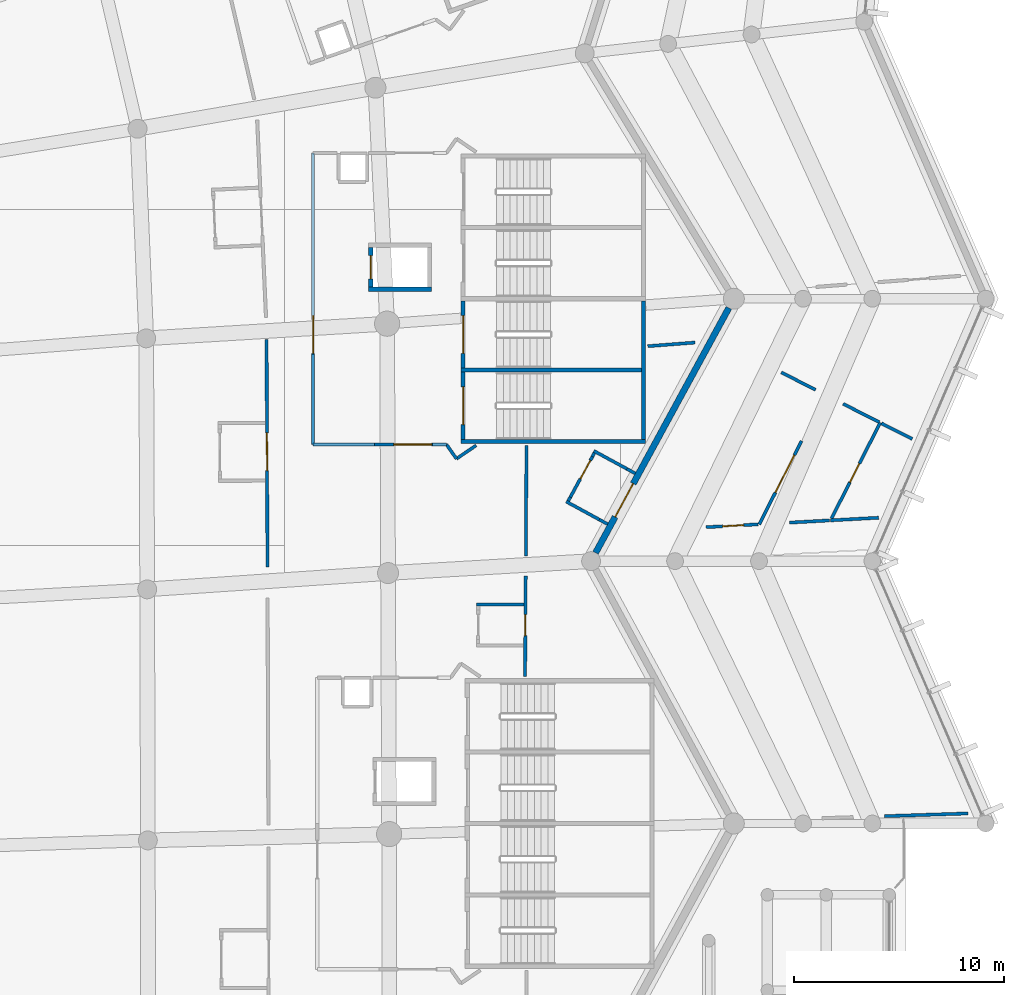
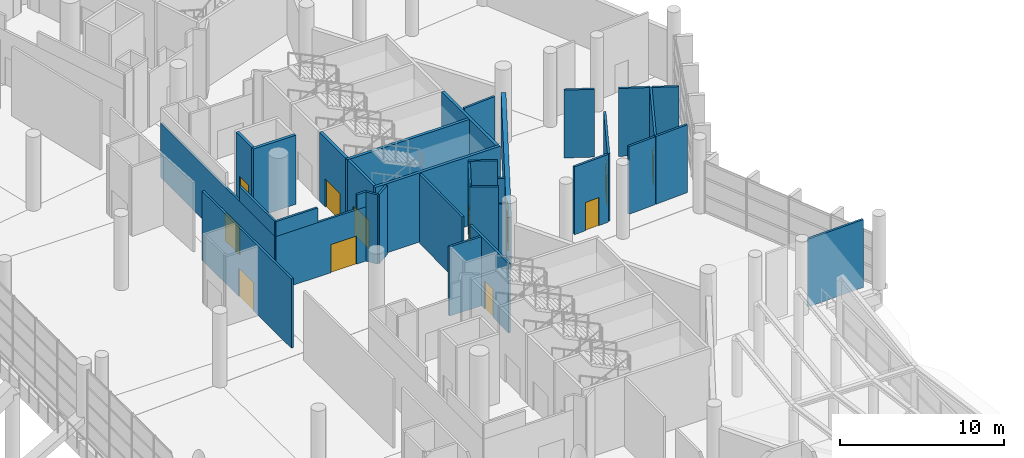
# One storey, part 193 of 271: 36 walls, 13 doors, 13 openings.
"""IFC4 building model written with IfcOpenShell, lengths in metres."""

from ifc_helpers import new_model, si_unit, direction, frame, frame_2d, origin, place, context, subcontext, project, spatial, rectangle, extrude, material, layer, layer_set, type_object, element, fill, save


model = new_model("IFC4")

# Units and contexts
model_context = context("Model", 3, precision=1e-05, world=origin(), true_north=direction((0.0, 1.0)))
body_context = subcontext(model_context, "Body", "Model", "MODEL_VIEW")
ifc_project = project(units=[si_unit("LENGTHUNIT", "METRE"), si_unit("AREAUNIT", "SQUARE_METRE"), si_unit("VOLUMEUNIT", "CUBIC_METRE"), si_unit("PLANEANGLEUNIT", "RADIAN"), si_unit("MASSUNIT", "GRAM", prefix="KILO")], contexts=[model_context])

# Site, building, storey
site_placement = place(None, origin())
site = spatial("IfcSite", under=ifc_project, at=site_placement, CompositionType="ELEMENT")
building_placement = place(site_placement, origin())
building = spatial("IfcBuilding", under=site, at=building_placement, Name="Meseta Stadium", CompositionType="ELEMENT")
storey_placement = place(building_placement, frame((0.0, 0.0, 6.5)))
storey = spatial("IfcBuildingStorey", under=building, at=storey_placement, Name="L01", CompositionType="ELEMENT", Elevation=6.5)

# Walls
ifc_material_1 = material(Name="Concrete C40/50", Category="concrete")
ifc_layer_1 = layer(ifc_material_1, 0.199951171875)
ifc_layer_set_1 = layer_set([ifc_layer_1], Name="Core divider wall 200")
wall_type_1 = type_object("IfcWallType", Name="Core divider wall 200", PredefinedType="SHEAR", material=ifc_layer_set_1)
wall_1_placement = place(storey_placement, frame((97.199951171875, 40.35009765625, 0.0), z_axis=(0.0, 0.0, 1.0), x_axis=(-1.0, 0.0, 0.0)))
element("IfcWall", 1, at=wall_1_placement, inside=storey, type_object=wall_type_1, Name="Core 05 L01 stair A divider wall", PredefinedType="SHEAR", context=body_context, shape_type="SweptSolid", body=[
    extrude(rectangle(XDim=8.800048828125, YDim=0.199951171875, at=frame_2d((4.39990234375, 0.0))), origin(), (0.0, 0.0, 1.0), 5.14990234375),
])
ifc_material_2 = material(Name="Concrete C40/50", Category="concrete")
ifc_layer_2 = layer(ifc_material_2, 0.199951171875)
ifc_layer_set_2 = layer_set([ifc_layer_2], Name="Core shaft wall 200")
wall_type_2 = type_object("IfcWallType", Name="Core shaft wall 200", PredefinedType="SHEAR", material=ifc_layer_set_2)
wall_2_placement = place(storey_placement, frame((97.199951171875, 36.949951171875, 0.0), z_axis=(0.0, 0.0, 1.0), x_axis=(-1.0, 0.0, 0.0)))
element("IfcWall", 2, at=wall_2_placement, inside=storey, type_object=wall_type_2, Name="Core 05 L01 stair wall A-side", PredefinedType="SHEAR", context=body_context, shape_type="SweptSolid", body=[
    extrude(rectangle(XDim=8.800048828125, YDim=0.199951171875, at=frame_2d((4.39990234375, 0.0))), origin(), (0.0, 0.0, 1.0), 5.14990234375),
])
wall_3_placement = place(storey_placement, frame((97.10009765625, 37.050048828125, 0.0), z_axis=(0.0, 0.0, 1.0), x_axis=(0.0, 1.0, 0.0)))
element("IfcWall", 3, at=wall_3_placement, inside=storey, type_object=wall_type_2, Name="Core 05 L01 stair A outer end wall", PredefinedType="SHEAR", context=body_context, shape_type="SweptSolid", body=[
    extrude(rectangle(XDim=6.599853515625, YDim=0.199951171875, at=frame_2d((3.2998046875, 0.0))), origin(), (0.0, 0.0, 1.0), 5.14990234375),
])

# Wall, opening, door
wall_4_placement = place(storey_placement, frame((88.5, 37.050048828125, 0.0), z_axis=(0.0, 0.0, 1.0), x_axis=(0.0, 1.0, 0.0)))
wall_4 = element("IfcWall", 4, at=wall_4_placement, inside=storey, type_object=wall_type_2, Name="Core 05 L01 stair A1 inner end wall", PredefinedType="SHEAR", context=body_context, shape_type="SweptSolid", body=[
    extrude(rectangle(XDim=3.199951171875, YDim=0.199951171875, at=frame_2d((1.60009765625, 0.0))), origin(), (0.0, 0.0, 1.0), 5.14990234375),
])
opening_1_placement = place(wall_4_placement, frame((0.699951171875, 0.0, 0.0)))
opening_1 = element("IfcOpeningElement", 5, at=opening_1_placement, cuts=wall_4, Name="Opening D087", PredefinedType="OPENING", context=body_context, shape_type="SweptSolid", body=[
    extrude(rectangle(XDim=1.800048828125, YDim=2.10009765625, at=frame_2d((0.89990234375, 1.050048828125))), frame((0.0, 0.10986328125, 0.0), z_axis=(0.0, -1.0, 0.0), x_axis=(1.0, 0.0, 0.0)), (0.0, 0.0, 1.0), 0.219970703125),
])
ifc_material_3 = material(Name="Steel", Category="steel")
door_type_1 = type_object("IfcDoorType", Name="Stair door 1800x2100", OperationType="DOUBLE_DOOR_SINGLE_SWING", PredefinedType="DOOR", material=ifc_material_3)
door_1_placement = place(opening_1_placement, origin())
door_1 = element("IfcDoor", 6, at=door_1_placement, inside=storey, type_object=door_type_1, Name="Stair A1 door 05 L01", OperationType="DOUBLE_DOOR_SINGLE_SWING", OverallHeight=2.10009765625, OverallWidth=1.800048828125, PredefinedType="DOOR", context=body_context, shape_type="SweptSolid", body=[
    extrude(rectangle(XDim=1.800048828125, YDim=2.10009765625, at=frame_2d((0.89990234375, 1.050048828125))), frame((0.0, 0.02490234375, 0.0), z_axis=(0.0, -1.0, 0.0), x_axis=(1.0, 0.0, 0.0)), (0.0, 0.0, 1.0), 0.050048828125),
])
fill(opening_1, door_1)

wall_5_placement = place(storey_placement, frame((88.5, 40.449951171875, 0.0), z_axis=(0.0, 0.0, 1.0), x_axis=(0.0, 1.0, 0.0)))
wall_5 = element("IfcWall", 7, at=wall_5_placement, inside=storey, type_object=wall_type_2, Name="Core 05 L01 stair A2 inner end wall", PredefinedType="SHEAR", context=body_context, shape_type="SweptSolid", body=[
    extrude(rectangle(XDim=3.199951171875, YDim=0.199951171875, at=frame_2d((1.60009765625, 0.0))), origin(), (0.0, 0.0, 1.0), 5.14990234375),
])
opening_2_placement = place(wall_5_placement, frame((0.699951171875, 0.0, 0.0)))
opening_2 = element("IfcOpeningElement", 8, at=opening_2_placement, cuts=wall_5, Name="Opening D088", PredefinedType="OPENING", context=body_context, shape_type="SweptSolid", body=[
    extrude(rectangle(XDim=1.800048828125, YDim=2.10009765625, at=frame_2d((0.89990234375, 1.050048828125))), frame((0.0, 0.10986328125, 0.0), z_axis=(0.0, -1.0, 0.0), x_axis=(1.0, 0.0, 0.0)), (0.0, 0.0, 1.0), 0.219970703125),
])
door_2_placement = place(opening_2_placement, origin())
door_2 = element("IfcDoor", 9, at=door_2_placement, inside=storey, type_object=door_type_1, Name="Stair A2 door 05 L01", OperationType="DOUBLE_DOOR_SINGLE_SWING", OverallHeight=2.10009765625, OverallWidth=1.800048828125, PredefinedType="DOOR", context=body_context, shape_type="SweptSolid", body=[
    extrude(rectangle(XDim=1.800048828125, YDim=2.10009765625, at=frame_2d((0.89990234375, 1.050048828125))), frame((0.0, 0.02490234375, 0.0), z_axis=(0.0, -1.0, 0.0), x_axis=(1.0, 0.0, 0.0)), (0.0, 0.0, 1.0), 0.050048828125),
])
fill(opening_2, door_2)

# Wall
wall_6_placement = place(storey_placement, frame((87.0, 44.199951171875, 0.0), z_axis=(0.0, 0.0, 1.0), x_axis=(-1.0, 0.0, 0.0)))
element("IfcWall", 10, at=wall_6_placement, inside=storey, type_object=wall_type_2, Name="Core 05 L01 lift shaft wall left", PredefinedType="SHEAR", context=body_context, shape_type="SweptSolid", body=[
    extrude(rectangle(XDim=3.0, YDim=0.199951171875, at=frame_2d((1.5, 0.0))), origin(), (0.0, 0.0, 1.0), 5.14990234375),
])

# Wall, opening, door
wall_7_placement = place(storey_placement, frame((84.10009765625, 44.300048828125, 0.0), z_axis=(0.0, 0.0, 1.0), x_axis=(0.0, 1.0, 0.0)))
wall_7 = element("IfcWall", 11, at=wall_7_placement, inside=storey, type_object=wall_type_2, Name="Core 05 L01 lift shaft front wall", PredefinedType="SHEAR", context=body_context, shape_type="SweptSolid", body=[
    extrude(rectangle(XDim=1.89990234375, YDim=0.199951171875, at=frame_2d((0.949951171875, 0.0))), origin(), (0.0, 0.0, 1.0), 5.14990234375),
])
opening_3_placement = place(wall_7_placement, frame((0.39990234375, 0.0, 0.0)))
opening_3 = element("IfcOpeningElement", 12, at=opening_3_placement, cuts=wall_7, Name="Opening LD27", PredefinedType="OPENING", context=body_context, shape_type="SweptSolid", body=[
    extrude(rectangle(XDim=1.10009765625, YDim=2.10009765625, at=frame_2d((0.550048828125, 1.050048828125))), frame((0.0, 0.10986328125, 0.0), z_axis=(0.0, -1.0, 0.0), x_axis=(1.0, 0.0, 0.0)), (0.0, 0.0, 1.0), 0.219970703125),
])
ifc_material_4 = material(Name="Steel", Category="steel")
door_type_2 = type_object("IfcDoorType", Name="Lift landing door 1100x2100", OperationType="SLIDING_TO_LEFT", PredefinedType="DOOR", material=ifc_material_4)
door_3_placement = place(opening_3_placement, origin())
door_3 = element("IfcDoor", 13, at=door_3_placement, inside=storey, type_object=door_type_2, Name="Lift landing door LD27", OperationType="SLIDING_TO_LEFT", OverallHeight=2.10009765625, OverallWidth=1.10009765625, PredefinedType="DOOR", context=body_context, shape_type="SweptSolid", body=[
    extrude(rectangle(XDim=1.10009765625, YDim=2.10009765625, at=frame_2d((0.550048828125, 1.050048828125))), frame((0.0, 0.02490234375, 0.0), z_axis=(0.0, -1.0, 0.0), x_axis=(1.0, 0.0, 0.0)), (0.0, 0.0, 1.0), 0.050048828125),
])
fill(opening_3, door_3)

ifc_material_5 = material(Name="Masonry blockwork", Category="masonry")
ifc_layer_3 = layer(ifc_material_5, 0.14990234375)
ifc_layer_set_3 = layer_set([ifc_layer_3], Name="Partition 150")
wall_type_3 = type_object("IfcWallType", Name="Partition 150", PredefinedType="PARTITIONING", material=ifc_layer_set_3)
wall_8_placement = place(storey_placement, frame((79.139892578125, 41.81005859375, 0.0), z_axis=(0.0, 0.0, 1.0), x_axis=(0.003787424647, -0.999992827682, 0.0)))
wall_8 = element("IfcWall", 14, at=wall_8_placement, inside=storey, type_object=wall_type_3, Name="Partition L01 L01-cell03-0-0", PredefinedType="PARTITIONING", context=body_context, shape_type="SweptSolid", body=[
    extrude(rectangle(XDim=10.829345703125, YDim=0.14990234375, at=frame_2d((5.41455078125, 0.0))), origin(), (0.0, 0.0, 1.0), 5.14990234375),
])
opening_4_placement = place(wall_8_placement, frame((4.449951171875, 0.0, 0.0)))
opening_4 = element("IfcOpeningElement", 15, at=opening_4_placement, cuts=wall_8, Name="Opening D643", PredefinedType="OPENING", context=body_context, shape_type="SweptSolid", body=[
    extrude(rectangle(XDim=1.800048828125, YDim=2.10009765625, at=frame_2d((0.89990234375, 1.050048828125))), frame((0.0, 0.0849609375, 0.0), z_axis=(0.0, -1.0, 0.0), x_axis=(1.0, 0.0, 0.0)), (0.0, 0.0, 1.0), 0.169921875),
])
ifc_material_6 = material(Name="Steel", Category="steel")
door_type_3 = type_object("IfcDoorType", Name="Fire double door 1800x2100 EI2 60", OperationType="DOUBLE_DOOR_SINGLE_SWING", PredefinedType="DOOR", material=ifc_material_6)
door_4_placement = place(opening_4_placement, origin())
door_4 = element("IfcDoor", 16, at=door_4_placement, inside=storey, type_object=door_type_3, Name="Door D643", OperationType="DOUBLE_DOOR_SINGLE_SWING", OverallHeight=2.10009765625, OverallWidth=1.800048828125, PredefinedType="DOOR", context=body_context, shape_type="SweptSolid", body=[
    extrude(rectangle(XDim=1.800048828125, YDim=2.10009765625, at=frame_2d((0.89990234375, 1.050048828125))), frame((0.0, 0.02490234375, 0.0), z_axis=(0.0, -1.0, 0.0), x_axis=(1.0, 0.0, 0.0)), (0.0, 0.0, 1.0), 0.050048828125),
])
fill(opening_4, door_4)

wall_9_placement = place(storey_placement, frame((91.454833984375, 25.75, 0.0), z_axis=(0.0, 0.0, 1.0), x_axis=(0.006125459352, 0.999981239198, 0.0)))
wall_9 = element("IfcWall", 17, at=wall_9_placement, inside=storey, type_object=wall_type_3, Name="Partition L01 L01-cell03-2-0", PredefinedType="PARTITIONING", context=body_context, shape_type="SweptSolid", body=[
    extrude(rectangle(XDim=4.78271484375, YDim=0.14990234375, at=frame_2d((2.391357421875, 0.0))), origin(), (0.0, 0.0, 1.0), 5.14990234375),
])
opening_5_placement = place(wall_9_placement, frame((1.949951171875, 0.0, 0.0)))
opening_5 = element("IfcOpeningElement", 18, at=opening_5_placement, cuts=wall_9, Name="Opening D644", PredefinedType="OPENING", context=body_context, shape_type="SweptSolid", body=[
    extrude(rectangle(XDim=1.0, YDim=2.10009765625, at=frame_2d((0.5, 1.050048828125))), frame((0.0, 0.0849609375, 0.0), z_axis=(0.0, -1.0, 0.0), x_axis=(1.0, 0.0, 0.0)), (0.0, 0.0, 1.0), 0.169921875),
])
ifc_material_7 = material(Name="Steel", Category="steel")
door_type_4 = type_object("IfcDoorType", Name="Fire door 1000x2100 EI2 60", OperationType="NOTDEFINED", PredefinedType="DOOR", material=ifc_material_7)
door_5_placement = place(opening_5_placement, origin())
door_5 = element("IfcDoor", 19, at=door_5_placement, inside=storey, type_object=door_type_4, Name="Door D644", OperationType="SINGLE_SWING_RIGHT", OverallHeight=2.10009765625, OverallWidth=1.0, PredefinedType="DOOR", context=body_context, shape_type="SweptSolid", body=[
    extrude(rectangle(XDim=1.0, YDim=2.10009765625, at=frame_2d((0.5, 1.050048828125))), frame((0.0, 0.02490234375, 0.0), z_axis=(0.0, -1.0, 0.0), x_axis=(1.0, 0.0, 0.0)), (0.0, 0.0, 1.0), 0.050048828125),
])
fill(opening_5, door_5)

# Walls
wall_10_placement = place(storey_placement, frame((91.489990234375, 31.489013671875, 0.0), z_axis=(0.0, 0.0, 1.0), x_axis=(0.006125459352, 0.999981239198, 0.0)))
element("IfcWall", 20, at=wall_10_placement, inside=storey, type_object=wall_type_3, Name="Partition L01 L01-cell03-2-0", PredefinedType="PARTITIONING", context=body_context, shape_type="SweptSolid", body=[
    extrude(rectangle(XDim=5.260986328125, YDim=0.14990234375, at=frame_2d((2.63037109375, 0.0))), origin(), (0.0, 0.0, 1.0), 5.14990234375),
])
wall_11_placement = place(storey_placement, frame((97.300048828125, 41.48974609375, 0.0), z_axis=(0.0, 0.0, 1.0), x_axis=(0.99706720675, 0.076530942913, 0.0)))
element("IfcWall", 21, at=wall_11_placement, inside=storey, type_object=wall_type_3, Name="Partition L01 L01-cell03-2-0", PredefinedType="PARTITIONING", context=body_context, shape_type="SweptSolid", body=[
    extrude(rectangle(XDim=2.25537109375, YDim=0.14990234375, at=frame_2d((1.127685546875, 0.0))), origin(), (0.0, 0.0, 1.0), 5.14990234375),
])
wall_12_placement = place(storey_placement, frame((108.302001953125, 33.317138671875, 0.0), z_axis=(0.0, 0.0, 1.0), x_axis=(-0.998498017563, -0.054787853792, 0.0)))
element("IfcWall", 22, at=wall_12_placement, inside=storey, type_object=wall_type_3, Name="Partition L01 L01-ring03-0a", PredefinedType="PARTITIONING", context=body_context, shape_type="SweptSolid", body=[
    extrude(rectangle(XDim=2.29931640625, YDim=0.14990234375, at=frame_2d((1.149658203125, 0.0))), origin(), (0.0, 0.0, 1.0), 5.050048828125),
])

# Wall, opening, door
wall_13_placement = place(storey_placement, frame((106.04541015625, 33.268310546875, 0.0), z_axis=(0.0, 0.0, 1.0), x_axis=(0.453347222961, 0.891333997688, 0.0)))
wall_13 = element("IfcWall", 23, at=wall_13_placement, inside=storey, type_object=wall_type_3, Name="Partition L01 L01-ring03-0a", PredefinedType="PARTITIONING", context=body_context, shape_type="SweptSolid", body=[
    extrude(rectangle(XDim=5.1337890625, YDim=0.14990234375, at=frame_2d((2.56689453125, 0.0))), origin(), (0.0, 0.0, 1.0), 5.050048828125),
])
opening_6_placement = place(wall_13_placement, frame((1.949951171875, 0.0, 0.0)))
opening_6 = element("IfcOpeningElement", 24, at=opening_6_placement, cuts=wall_13, Name="Opening D684", PredefinedType="OPENING", context=body_context, shape_type="SweptSolid", body=[
    extrude(rectangle(XDim=1.0, YDim=2.10009765625, at=frame_2d((0.5, 1.050048828125))), frame((0.0, 0.0849609375, 0.0), z_axis=(0.0, -1.0, 0.0), x_axis=(1.0, 0.0, 0.0)), (0.0, 0.0, 1.0), 0.169921875),
])
ifc_material_8 = material(Name="Timber", Category="wood")
door_type_5 = type_object("IfcDoorType", Name="Room door 1000x2100", OperationType="NOTDEFINED", PredefinedType="DOOR", material=ifc_material_8)
door_6_placement = place(opening_6_placement, origin())
door_6 = element("IfcDoor", 25, at=door_6_placement, inside=storey, type_object=door_type_5, Name="Door D684", OperationType="SINGLE_SWING_LEFT", OverallHeight=2.10009765625, OverallWidth=1.0, PredefinedType="DOOR", context=body_context, shape_type="SweptSolid", body=[
    extrude(rectangle(XDim=1.0, YDim=2.10009765625, at=frame_2d((0.5, 1.050048828125))), frame((0.0, 0.02490234375, 0.0), z_axis=(0.0, -1.0, 0.0), x_axis=(1.0, 0.0, 0.0)), (0.0, 0.0, 1.0), 0.050048828125),
])
fill(opening_6, door_6)

# Walls
wall_14_placement = place(storey_placement, frame((108.439697265625, 37.810302734375, 0.0), z_axis=(0.0, 0.0, 1.0), x_axis=(0.891343383036, -0.453328769788, 0.0)))
element("IfcWall", 26, at=wall_14_placement, inside=storey, type_object=wall_type_3, Name="Partition L01 L01-ring03-0a", PredefinedType="PARTITIONING", context=body_context, shape_type="SweptSolid", body=[
    extrude(rectangle(XDim=1.64208984375, YDim=0.14990234375, at=frame_2d((0.821044921875, 0.0))), origin(), (0.0, 0.0, 1.0), 5.050048828125),
])
wall_15_placement = place(storey_placement, frame((105.956298828125, 33.1884765625, 0.0), z_axis=(0.0, 0.0, 1.0), x_axis=(-0.998496614233, -0.054813423225, 0.0)))
element("IfcWall", 27, at=wall_15_placement, inside=storey, type_object=wall_type_3, Name="Partition L01 L01-ring03-0b1", PredefinedType="PARTITIONING", context=body_context, shape_type="SweptSolid", body=[
    extrude(rectangle(XDim=1.915283203125, YDim=0.14990234375, at=frame_2d((0.95751953125, 0.0))), origin(), (0.0, 0.0, 1.0), 5.050048828125),
])

# Wall, openings, doors
wall_16_placement = place(storey_placement, frame((102.60986328125, 33.0048828125, 0.0), z_axis=(0.0, 0.0, 1.0), x_axis=(0.453387706343, 0.891313406012, 0.0)))
wall_16 = element("IfcWall", 28, at=wall_16_placement, inside=storey, type_object=wall_type_3, Name="Partition L01 L01-ring03-0b1", PredefinedType="PARTITIONING", context=body_context, shape_type="SweptSolid", body=[
    extrude(rectangle(XDim=4.45263671875, YDim=0.14990234375, at=frame_2d((2.226318359375, 0.0))), origin(), (0.0, 0.0, 1.0), 5.050048828125),
])
opening_7_placement = place(wall_16_placement, frame((1.699951171875, 0.0, 0.0)))
opening_7 = element("IfcOpeningElement", 29, at=opening_7_placement, cuts=wall_16, Name="Opening D685", PredefinedType="OPENING", context=body_context, shape_type="SweptSolid", body=[
    extrude(rectangle(XDim=1.0, YDim=2.10009765625, at=frame_2d((0.5, 1.050048828125))), frame((0.0, 0.0849609375, 0.0), z_axis=(0.0, -1.0, 0.0), x_axis=(1.0, 0.0, 0.0)), (0.0, 0.0, 1.0), 0.169921875),
])
opening_8_placement = place(wall_16_placement, frame((2.699951171875, 0.0, 0.0)))
opening_8 = element("IfcOpeningElement", 30, at=opening_8_placement, cuts=wall_16, Name="Opening D686", PredefinedType="OPENING", context=body_context, shape_type="SweptSolid", body=[
    extrude(rectangle(XDim=1.0, YDim=2.10009765625, at=frame_2d((0.5, 1.050048828125))), frame((0.0, 0.0849609375, 0.0), z_axis=(0.0, -1.0, 0.0), x_axis=(1.0, 0.0, 0.0)), (0.0, 0.0, 1.0), 0.169921875),
])
door_7_placement = place(opening_7_placement, origin())
door_7 = element("IfcDoor", 31, at=door_7_placement, inside=storey, type_object=door_type_5, Name="Door D685", OperationType="SINGLE_SWING_RIGHT", OverallHeight=2.10009765625, OverallWidth=1.0, PredefinedType="DOOR", context=body_context, shape_type="SweptSolid", body=[
    extrude(rectangle(XDim=1.0, YDim=2.10009765625, at=frame_2d((0.5, 1.050048828125))), frame((0.0, 0.02490234375, 0.0), z_axis=(0.0, -1.0, 0.0), x_axis=(1.0, 0.0, 0.0)), (0.0, 0.0, 1.0), 0.050048828125),
])
fill(opening_7, door_7)
door_8_placement = place(opening_8_placement, origin())
door_8 = element("IfcDoor", 32, at=door_8_placement, inside=storey, type_object=door_type_5, Name="Door D686", OperationType="SINGLE_SWING_RIGHT", OverallHeight=2.10009765625, OverallWidth=1.0, PredefinedType="DOOR", context=body_context, shape_type="SweptSolid", body=[
    extrude(rectangle(XDim=1.0, YDim=2.10009765625, at=frame_2d((0.5, 1.050048828125))), frame((0.0, 0.02490234375, 0.0), z_axis=(0.0, -1.0, 0.0), x_axis=(1.0, 0.0, 0.0)), (0.0, 0.0, 1.0), 0.050048828125),
])
fill(opening_8, door_8)

# Wall
wall_17_placement = place(storey_placement, frame((106.609619140625, 38.7412109375, 0.0), z_axis=(0.0, 0.0, 1.0), x_axis=(0.891316628882, -0.453381370458, 0.0)))
element("IfcWall", 33, at=wall_17_placement, inside=storey, type_object=wall_type_3, Name="Partition L01 L01-ring03-0b1", PredefinedType="PARTITIONING", context=body_context, shape_type="SweptSolid", body=[
    extrude(rectangle(XDim=1.92822265625, YDim=0.14990234375, at=frame_2d((0.964111328125, 0.0))), origin(), (0.0, 0.0, 1.0), 5.050048828125),
])

# Wall, opening, door
wall_18_placement = place(storey_placement, frame((100.083251953125, 32.866455078125, 0.0), z_axis=(0.0, 0.0, 1.0), x_axis=(0.998501563007, 0.054723200496, 0.0)))
wall_18 = element("IfcWall", 34, at=wall_18_placement, inside=storey, type_object=wall_type_3, Name="Partition L01 L01-ring03-0b2", PredefinedType="PARTITIONING", context=body_context, shape_type="SweptSolid", body=[
    extrude(rectangle(XDim=2.48046875, YDim=0.14990234375, at=frame_2d((1.240234375, 0.0))), origin(), (0.0, 0.0, 1.0), 5.050048828125),
])
opening_9_placement = place(wall_18_placement, frame((0.780517578125, 0.0, 0.0)))
opening_9 = element("IfcOpeningElement", 35, at=opening_9_placement, cuts=wall_18, Name="Opening D688", PredefinedType="OPENING", context=body_context, shape_type="SweptSolid", body=[
    extrude(rectangle(XDim=1.0, YDim=2.10009765625, at=frame_2d((0.5, 1.050048828125))), frame((0.0, 0.0849609375, 0.0), z_axis=(0.0, -1.0, 0.0), x_axis=(1.0, 0.0, 0.0)), (0.0, 0.0, 1.0), 0.169921875),
])
door_9_placement = place(opening_9_placement, origin())
door_9 = element("IfcDoor", 36, at=door_9_placement, inside=storey, type_object=door_type_5, Name="Door D688", OperationType="SINGLE_SWING_LEFT", OverallHeight=2.10009765625, OverallWidth=1.0, PredefinedType="DOOR", context=body_context, shape_type="SweptSolid", body=[
    extrude(rectangle(XDim=1.0, YDim=2.10009765625, at=frame_2d((0.5, 1.050048828125))), frame((0.0, 0.02490234375, 0.0), z_axis=(0.0, -1.0, 0.0), x_axis=(1.0, 0.0, 0.0)), (0.0, 0.0, 1.0), 0.050048828125),
])
fill(opening_9, door_9)

# Walls
wall_19_placement = place(storey_placement, frame((103.65771484375, 40.242919921875, 0.0), z_axis=(0.0, 0.0, 1.0), x_axis=(0.891270496186, -0.453472052754, 0.0)))
element("IfcWall", 37, at=wall_19_placement, inside=storey, type_object=wall_type_3, Name="Partition L01 L01-ring03-0b2", PredefinedType="PARTITIONING", context=body_context, shape_type="SweptSolid", body=[
    extrude(rectangle(XDim=1.838134765625, YDim=0.14990234375, at=frame_2d((0.9189453125, 0.0))), origin(), (0.0, 0.0, 1.0), 5.050048828125),
])
wall_20_placement = place(storey_placement, frame((112.547607421875, 19.228515625, 0.0), z_axis=(0.0, 0.0, 1.0), x_axis=(-0.99945927395, -0.032880993209, 0.0)))
element("IfcWall", 38, at=wall_20_placement, inside=storey, type_object=wall_type_3, Name="Partition L01 L01-ring03-0w", PredefinedType="PARTITIONING", context=body_context, shape_type="SweptSolid", body=[
    extrude(rectangle(XDim=3.972412109375, YDim=0.14990234375, at=frame_2d((1.986328125, 0.0))), origin(), (0.0, 0.0, 1.0), 5.050048828125),
])

# Wall, opening, door
wall_21_placement = place(storey_placement, frame((81.35498046875, 50.695068359375, 0.0), z_axis=(0.0, 0.0, 1.0), x_axis=(0.0, -1.0, 0.0)))
wall_21 = element("IfcWall", 39, at=wall_21_placement, inside=storey, type_object=wall_type_3, Name="Stair vestibule wall L01 core 05", PredefinedType="PARTITIONING", context=body_context, shape_type="SweptSolid", body=[
    extrude(rectangle(XDim=13.89013671875, YDim=0.14990234375, at=frame_2d((6.945068359375, 0.0))), origin(), (0.0, 0.0, 1.0), 4.050048828125),
])
opening_10_placement = place(wall_21_placement, frame((7.75, 0.0, 0.0)))
opening_10 = element("IfcOpeningElement", 40, at=opening_10_placement, cuts=wall_21, Name="Opening D756", PredefinedType="OPENING", context=body_context, shape_type="SweptSolid", body=[
    extrude(rectangle(XDim=1.800048828125, YDim=2.10009765625, at=frame_2d((0.89990234375, 1.050048828125))), frame((0.0, 0.0849609375, 0.0), z_axis=(0.0, -1.0, 0.0), x_axis=(1.0, 0.0, 0.0)), (0.0, 0.0, 1.0), 0.169921875),
])
door_10_placement = place(opening_10_placement, origin())
door_10 = element("IfcDoor", 41, at=door_10_placement, inside=storey, type_object=door_type_3, Name="Stair vestibule door L01 core 05", OperationType="DOUBLE_DOOR_SINGLE_SWING", OverallHeight=2.10009765625, OverallWidth=1.800048828125, PredefinedType="DOOR", context=body_context, shape_type="SweptSolid", body=[
    extrude(rectangle(XDim=1.800048828125, YDim=2.10009765625, at=frame_2d((0.89990234375, 1.050048828125))), frame((0.0, 0.02490234375, 0.0), z_axis=(0.0, -1.0, 0.0), x_axis=(1.0, 0.0, 0.0)), (0.0, 0.0, 1.0), 0.050048828125),
])
fill(opening_10, door_10)

# Wall
wall_22_placement = place(storey_placement, frame((81.35498046875, 41.094970703125, 4.050048828125), z_axis=(0.0, 0.0, 1.0), x_axis=(0.0, -1.0, 0.0)))
element("IfcWall", 42, at=wall_22_placement, inside=storey, type_object=wall_type_3, Name="Stair vestibule wall L01 core 05", PredefinedType="PARTITIONING", context=body_context, shape_type="SweptSolid", body=[
    extrude(rectangle(XDim=4.2900390625, YDim=0.14990234375, at=frame_2d((2.14501953125, 0.0))), origin(), (0.0, 0.0, 1.0), 1.099853515625),
])

# Wall, opening, door
wall_23_placement = place(storey_placement, frame((81.35498046875, 36.804931640625, 0.0), z_axis=(0.0, 0.0, 1.0), x_axis=(1.0, 0.0, 0.0)))
wall_23 = element("IfcWall", 43, at=wall_23_placement, inside=storey, type_object=wall_type_3, Name="Stair vestibule wall L01 core 05", PredefinedType="PARTITIONING", context=body_context, shape_type="SweptSolid", body=[
    extrude(rectangle(XDim=6.354248046875, YDim=0.14990234375, at=frame_2d((3.17724609375, 0.0))), origin(), (0.0, 0.0, 1.0), 4.050048828125),
])
opening_11_placement = place(wall_23_placement, frame((3.85009765625, 0.0, 0.0)))
opening_11 = element("IfcOpeningElement", 44, at=opening_11_placement, cuts=wall_23, Name="Opening D758", PredefinedType="OPENING", context=body_context, shape_type="SweptSolid", body=[
    extrude(rectangle(XDim=1.800048828125, YDim=2.10009765625, at=frame_2d((0.89990234375, 1.050048828125))), frame((0.0, 0.0849609375, 0.0), z_axis=(0.0, -1.0, 0.0), x_axis=(1.0, 0.0, 0.0)), (0.0, 0.0, 1.0), 0.169921875),
])
door_11_placement = place(opening_11_placement, origin())
door_11 = element("IfcDoor", 45, at=door_11_placement, inside=storey, type_object=door_type_3, Name="Stair vestibule door L01 core 05", OperationType="DOUBLE_DOOR_SINGLE_SWING", OverallHeight=2.10009765625, OverallWidth=1.800048828125, PredefinedType="DOOR", context=body_context, shape_type="SweptSolid", body=[
    extrude(rectangle(XDim=1.800048828125, YDim=2.10009765625, at=frame_2d((0.89990234375, 1.050048828125))), frame((0.0, 0.02490234375, 0.0), z_axis=(0.0, -1.0, 0.0), x_axis=(1.0, 0.0, 0.0)), (0.0, 0.0, 1.0), 0.050048828125),
])
fill(opening_11, door_11)

# Walls
wall_24_placement = place(storey_placement, frame((81.35498046875, 36.804931640625, 4.050048828125), z_axis=(0.0, 0.0, 1.0), x_axis=(1.0, 0.0, 0.0)))
element("IfcWall", 46, at=wall_24_placement, inside=storey, type_object=wall_type_3, Name="Stair vestibule wall L01 core 05", PredefinedType="PARTITIONING", context=body_context, shape_type="SweptSolid", body=[
    extrude(rectangle(XDim=2.9326171875, YDim=0.14990234375, at=frame_2d((1.46630859375, 0.0))), origin(), (0.0, 0.0, 1.0), 1.099853515625),
])
wall_25_placement = place(storey_placement, frame((87.054931640625, 36.804931640625, 4.050048828125), z_axis=(0.0, 0.0, 1.0), x_axis=(1.0, 0.0, 0.0)))
element("IfcWall", 47, at=wall_25_placement, inside=storey, type_object=wall_type_3, Name="Stair vestibule wall L01 core 05", PredefinedType="PARTITIONING", context=body_context, shape_type="SweptSolid", body=[
    extrude(rectangle(XDim=0.654296875, YDim=0.14990234375, at=frame_2d((0.3271484375, 0.0))), origin(), (0.0, 0.0, 1.0), 1.099853515625),
])
wall_26_placement = place(storey_placement, frame((87.709228515625, 36.804931640625, 0.0), z_axis=(0.0, 0.0, 1.0), x_axis=(0.575573582652, -0.81774999294, 0.0)))
element("IfcWall", 48, at=wall_26_placement, inside=storey, type_object=wall_type_3, Name="Stair vestibule wall L01 core 05", PredefinedType="PARTITIONING", context=body_context, shape_type="SweptSolid", body=[
    extrude(rectangle(XDim=0.82958984375, YDim=0.14990234375, at=frame_2d((0.414794921875, 0.0))), origin(), (0.0, 0.0, 1.0), 5.14990234375),
])
wall_27_placement = place(storey_placement, frame((88.186767578125, 36.12646484375, 0.0), z_axis=(0.0, 0.0, 1.0), x_axis=(0.827055308354, 0.562120553728, 0.0)))
element("IfcWall", 49, at=wall_27_placement, inside=storey, type_object=wall_type_3, Name="Stair vestibule wall L01 core 05", PredefinedType="PARTITIONING", context=body_context, shape_type="SweptSolid", body=[
    extrude(rectangle(XDim=1.1279296875, YDim=0.14990234375, at=frame_2d((0.56396484375, 0.0))), origin(), (0.0, 0.0, 1.0), 5.14990234375),
])
wall_28_placement = place(storey_placement, frame((91.40087890625, 29.17529296875, 0.0), z_axis=(0.0, 0.0, 1.0), x_axis=(-0.99998087408, 0.006184777542, 0.0)))
element("IfcWall", 50, at=wall_28_placement, inside=storey, type_object=wall_type_3, Name="Partition L01 L01-cell03-2-0 vestibule", PredefinedType="PARTITIONING", context=body_context, shape_type="SweptSolid", body=[
    extrude(rectangle(XDim=2.25, YDim=0.14990234375, at=frame_2d((1.125, 0.0))), origin(), (0.0, 0.0, 1.0), 5.14990234375),
])
wall_29_placement = place(storey_placement, frame((96.7021484375, 35.42822265625, 0.0), z_axis=(0.0, 0.0, 1.0), x_axis=(-0.878372019733, 0.477977609256, 0.0)))
element("IfcWall", 51, at=wall_29_placement, inside=storey, type_object=wall_type_3, Name="Partition L01 L01-cell03-2-0 vestibule", PredefinedType="PARTITIONING", context=body_context, shape_type="SweptSolid", body=[
    extrude(rectangle(XDim=0.449951171875, YDim=0.14990234375, at=frame_2d((0.22509765625, 0.0))), origin(), (0.0, 0.0, 1.0), 3.85009765625),
])
wall_30_placement = place(storey_placement, frame((96.306884765625, 35.643310546875, 0.0), z_axis=(0.0, 0.0, 1.0), x_axis=(-0.878428962466, 0.477872951632, 0.0)))
element("IfcWall", 52, at=wall_30_placement, inside=storey, type_object=wall_type_3, Name="Partition L01 L01-cell03-2-0 vestibule", PredefinedType="PARTITIONING", context=body_context, shape_type="SweptSolid", body=[
    extrude(rectangle(XDim=1.7998046875, YDim=0.14990234375, at=frame_2d((0.89990234375, 0.0))), origin(), (0.0, 0.0, 1.0), 5.14990234375),
])
wall_31_placement = place(storey_placement, frame((95.38818359375, 33.0126953125, 0.0), z_axis=(0.0, 0.0, 1.0), x_axis=(-0.878372019733, 0.477977609256, 0.0)))
element("IfcWall", 53, at=wall_31_placement, inside=storey, type_object=wall_type_3, Name="Partition L01 L01-cell03-2-0 vestibule", PredefinedType="PARTITIONING", context=body_context, shape_type="SweptSolid", body=[
    extrude(rectangle(XDim=0.449951171875, YDim=0.14990234375, at=frame_2d((0.22509765625, 0.0))), origin(), (0.0, 0.0, 1.0), 3.85009765625),
])
wall_32_placement = place(storey_placement, frame((94.992919921875, 33.227783203125, 0.0), z_axis=(0.0, 0.0, 1.0), x_axis=(-0.878459932885, 0.477816017223, 0.0)))
element("IfcWall", 54, at=wall_32_placement, inside=storey, type_object=wall_type_3, Name="Partition L01 L01-cell03-2-0 vestibule", PredefinedType="PARTITIONING", context=body_context, shape_type="SweptSolid", body=[
    extrude(rectangle(XDim=1.800048828125, YDim=0.14990234375, at=frame_2d((0.89990234375, 0.0))), origin(), (0.0, 0.0, 1.0), 5.14990234375),
])
wall_33_placement = place(storey_placement, frame((94.755859375, 36.40185546875, 0.0), z_axis=(0.0, 0.0, 1.0), x_axis=(-0.478168266369, -0.878268244352, 0.0)))
element("IfcWall", 55, at=wall_33_placement, inside=storey, type_object=wall_type_3, Name="Partition L01 L01-cell03-2-0 vestibule", PredefinedType="PARTITIONING", context=body_context, shape_type="SweptSolid", body=[
    extrude(rectangle(XDim=0.2001953125, YDim=0.14990234375, at=frame_2d((0.10009765625, 0.0))), origin(), (0.0, 0.0, 1.0), 5.14990234375),
])

# Wall, opening, door
wall_34_placement = place(storey_placement, frame((94.66015625, 36.22607421875, 0.0), z_axis=(0.0, 0.0, 1.0), x_axis=(-0.477887643273, -0.878420969927, 0.0)))
wall_34 = element("IfcWall", 56, at=wall_34_placement, inside=storey, type_object=wall_type_3, Name="Partition L01 L01-cell03-2-0 vestibule", PredefinedType="PARTITIONING", context=body_context, shape_type="SweptSolid", body=[
    extrude(rectangle(XDim=2.19970703125, YDim=0.14990234375, at=frame_2d((1.099853515625, 0.0))), origin(), (0.0, 0.0, 1.0), 5.14990234375),
])
opening_12_placement = place(wall_34_placement, frame((0.199951171875, 0.0, 0.0)))
opening_12 = element("IfcOpeningElement", 57, at=opening_12_placement, cuts=wall_34, Name="Opening D891", PredefinedType="OPENING", context=body_context, shape_type="SweptSolid", body=[
    extrude(rectangle(XDim=1.0, YDim=2.10009765625, at=frame_2d((0.5, 1.050048828125))), frame((0.0, 0.0849609375, 0.0), z_axis=(0.0, -1.0, 0.0), x_axis=(1.0, 0.0, 0.0)), (0.0, 0.0, 1.0), 0.169921875),
])
door_12_placement = place(opening_12_placement, origin())
door_12 = element("IfcDoor", 58, at=door_12_placement, inside=storey, type_object=door_type_4, Name="Vestibule door L01 L01-cell03-2-0", OperationType="SINGLE_SWING_LEFT", OverallHeight=2.10009765625, OverallWidth=1.0, PredefinedType="DOOR", context=body_context, shape_type="SweptSolid", body=[
    extrude(rectangle(XDim=1.0, YDim=2.10009765625, at=frame_2d((0.5, 1.050048828125))), frame((0.0, 0.02490234375, 0.0), z_axis=(0.0, -1.0, 0.0), x_axis=(1.0, 0.0, 0.0)), (0.0, 0.0, 1.0), 0.050048828125),
])
fill(opening_12, door_12)

# Wall
wall_35_placement = place(storey_placement, frame((93.60888671875, 34.293701171875, 0.0), z_axis=(0.0, 0.0, 1.0), x_axis=(-0.477226530971, -0.878780312785, 0.0)))
element("IfcWall", 59, at=wall_35_placement, inside=storey, type_object=wall_type_3, Name="Partition L01 L01-cell03-2-0 vestibule", PredefinedType="PARTITIONING", context=body_context, shape_type="SweptSolid", body=[
    extrude(rectangle(XDim=0.199951171875, YDim=0.14990234375, at=frame_2d((0.10009765625, 0.0))), origin(), (0.0, 0.0, 1.0), 5.14990234375),
])

# Wall, opening, door
ifc_material_9 = material(Name="White precast concrete C40/50", Category="concrete")
ifc_layer_4 = layer(ifc_material_9, 0.300048828125)
ifc_layer_set_4 = layer_set([ifc_layer_4], Name="Pleated panel wall 300 concourse")
wall_type_4 = type_object("IfcWallType", Name="Pleated panel wall 300 concourse", PredefinedType="SOLIDWALL", material=ifc_layer_set_4)
wall_36_placement = place(storey_placement, frame((101.1611328125, 43.31103515625, 0.0), z_axis=(0.0, 0.0, 1.0), x_axis=(-0.477867771117, -0.878431780691, 0.0)))
wall_36 = element("IfcWall", 60, at=wall_36_placement, inside=storey, type_object=wall_type_4, Name="Pleated facade panel L01 F07", PredefinedType="SOLIDWALL", context=body_context, shape_type="SweptSolid", body=[
    extrude(rectangle(XDim=13.2802734375, YDim=0.300048828125, at=frame_2d((6.64013671875, 0.0))), origin(), (0.0, 0.0, 1.0), 3.85009765625),
])
opening_13_placement = place(wall_36_placement, frame((9.530029296875, 0.0, 0.0)))
opening_13 = element("IfcOpeningElement", 61, at=opening_13_placement, cuts=wall_36, Name="Opening D984", PredefinedType="OPENING", context=body_context, shape_type="SweptSolid", body=[
    extrude(rectangle(XDim=1.800048828125, YDim=2.39990234375, at=frame_2d((0.89990234375, 1.199951171875))), frame((0.0, 0.159912109375, 0.0), z_axis=(0.0, -1.0, 0.0), x_axis=(1.0, 0.0, 0.0)), (0.0, 0.0, 1.0), 0.320068359375),
])
ifc_material_10 = material(Name="Steel", Category="steel")
door_type_6 = type_object("IfcDoorType", Name="Fire double door 1800x2400 EI2 60", OperationType="DOUBLE_DOOR_SINGLE_SWING", PredefinedType="DOOR", material=ifc_material_10)
door_13_placement = place(opening_13_placement, origin())
door_13 = element("IfcDoor", 62, at=door_13_placement, inside=storey, type_object=door_type_6, Name="Concourse door", OperationType="DOUBLE_DOOR_SINGLE_SWING", OverallHeight=2.39990234375, OverallWidth=1.800048828125, PredefinedType="DOOR", context=body_context, shape_type="SweptSolid", body=[
    extrude(rectangle(XDim=1.800048828125, YDim=2.39990234375, at=frame_2d((0.89990234375, 1.199951171875))), frame((0.0, 0.02490234375, 0.0), z_axis=(0.0, -1.0, 0.0), x_axis=(1.0, 0.0, 0.0)), (0.0, 0.0, 1.0), 0.050048828125),
])
fill(opening_13, door_13)

save(model, "model.ifc")
